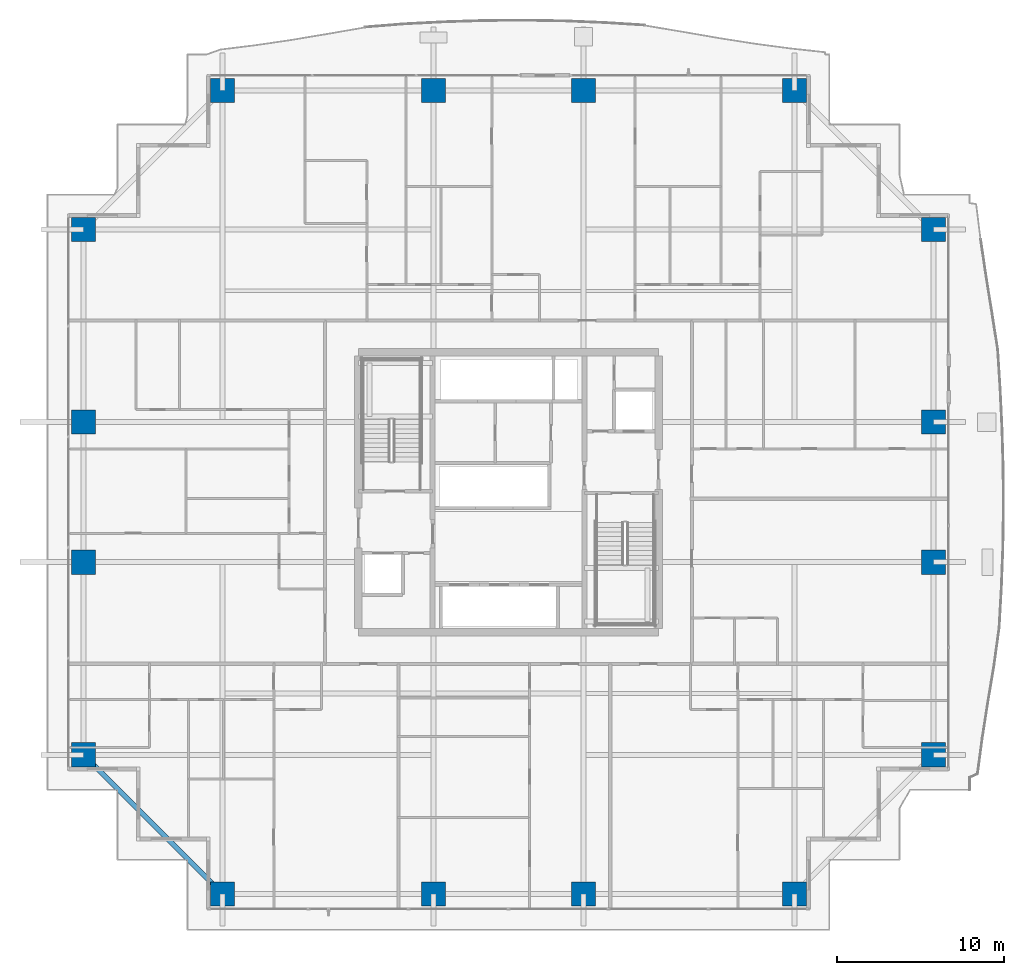
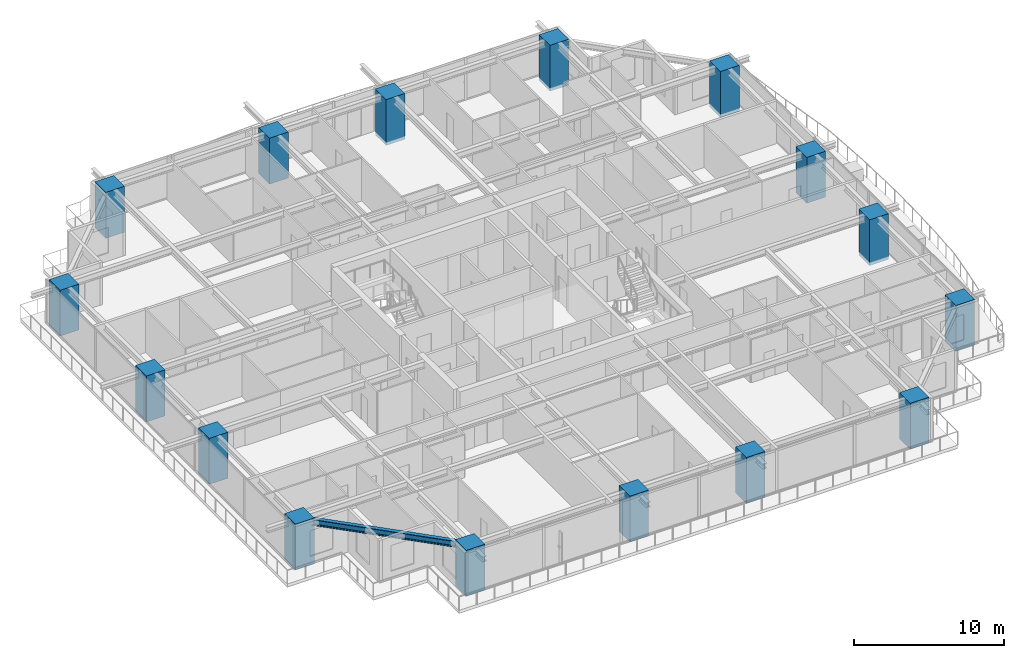
# One storey, part 1 of 38: 16 columns, 1 beam.
"""IFC4 building model written with IfcOpenShell, lengths in metres."""

from ifc_helpers import new_model, si_unit, direction, frame, origin, origin_2d, place, context, subcontext, project, spatial, rectangle, i_section, extrude, source, transform, mapped, material, material_profile, profile_set, type_object, element, save


model = new_model("IFC4")

# Units and contexts
model_context = context("Model", 3, precision=1e-05, world=origin(), true_north=direction((0.0, 1.0)))
body_context = subcontext(model_context, "Body", "Model", "MODEL_VIEW")
ifc_project = project(units=[si_unit("LENGTHUNIT", "METRE"), si_unit("AREAUNIT", "SQUARE_METRE"), si_unit("VOLUMEUNIT", "CUBIC_METRE"), si_unit("PLANEANGLEUNIT", "RADIAN"), si_unit("MASSUNIT", "GRAM", prefix="KILO")], contexts=[model_context])

# Site, building, storey
site_placement = place(None, origin())
site = spatial("IfcSite", under=ifc_project, at=site_placement, CompositionType="ELEMENT")
building_placement = place(site_placement, origin())
building = spatial("IfcBuilding", under=site, at=building_placement, Name="Serunith Strait Residences", CompositionType="ELEMENT")
storey_placement = place(building_placement, frame((0.0, 0.0, 52.949951171875)))
storey = spatial("IfcBuildingStorey", under=building, at=storey_placement, Name="L12", CompositionType="ELEMENT", Elevation=52.949951171875)

# Columns
ifc_material_1 = material(Name="Concrete C90/105", Category="concrete")
ifc_material_profile_1 = material_profile(ifc_material_1, rectangle(XDim=1.449951171875, YDim=1.449951171875, at=origin_2d()), Name="RC 1450x1450")
ifc_profile_set_1 = profile_set([ifc_material_profile_1], Name="Concrete C90/105")
column_type = type_object("IfcColumnType", Name="COL-RC-1450", PredefinedType="COLUMN", material=ifc_profile_set_1)
shared_shape_1 = source(origin(), body_context, "Body", "SweptSolid", [
    extrude(rectangle(XDim=1.449951171875, YDim=1.449951171875, at=origin_2d()), origin(), (0.0, 0.0, 1.0), 3.75),
])
for number, where, z_axis, x_axis, name in (
    (1, (15.25, 1.10009765625, -0.260009765625), (0.0, 0.0, 1.0), (1.0, 0.0, 0.0), "L12 Tower Mega-Column TC-S1"),
    (2, (27.89990234375, 1.10009765625, -0.260009765625), (0.0, 0.0, 1.0), (1.0, 0.0, 0.0), "L12 Tower Mega-Column TC-S2"),
    (3, (36.89990234375, 1.10009765625, -0.260009765625), (0.0, 0.0, 1.0), (1.0, 0.0, 0.0), "L12 Tower Mega-Column TC-S3"),
    (4, (49.550048828125, 1.10009765625, -0.260009765625), (0.0, 0.0, 1.0), (1.0, 0.0, 0.0), "L12 Tower Mega-Column TC-S4"),
    (5, (15.25, 49.300048828125, -0.260009765625), (0.0, 0.0, 1.0), (1.0, 0.0, 0.0), "L12 Tower Mega-Column TC-N1"),
    (6, (27.89990234375, 49.300048828125, -0.260009765625), (0.0, 0.0, 1.0), (1.0, 0.0, 0.0), "L12 Tower Mega-Column TC-N2"),
    (7, (36.89990234375, 49.300048828125, -0.260009765625), (0.0, 0.0, 1.0), (1.0, 0.0, 0.0), "L12 Tower Mega-Column TC-N3"),
    (8, (49.550048828125, 49.300048828125, -0.260009765625), (0.0, 0.0, 1.0), (1.0, 0.0, 0.0), "L12 Tower Mega-Column TC-N4"),
    (9, (57.89990234375, 9.449951171875, -0.260009765625), (0.0, 0.0, 1.0), (1.0, 0.0, 0.0), "L12 Tower Mega-Column TC-E1"),
    (10, (57.89990234375, 21.0, -0.260009765625), (0.0, 0.0, 1.0), (1.0, 0.0, 0.0), "L12 Tower Mega-Column TC-E2"),
    (11, (57.89990234375, 29.39990234375, -0.260009765625), (0.0, 0.0, 1.0), (1.0, 0.0, 0.0), "L12 Tower Mega-Column TC-E3"),
    (12, (57.89990234375, 40.949951171875, -0.260009765625), (0.0, 0.0, 1.0), (1.0, 0.0, 0.0), "L12 Tower Mega-Column TC-E4"),
    (13, (6.89990234375, 9.449951171875, -0.260009765625), (0.0, 0.0, 1.0), (1.0, 0.0, 0.0), "L12 Tower Mega-Column TC-W1"),
    (14, (6.89990234375, 21.0, -0.260009765625), (0.0, 0.0, 1.0), (1.0, 0.0, 0.0), "L12 Tower Mega-Column TC-W2"),
    (15, (6.89990234375, 29.39990234375, -0.260009765625), (0.0, 0.0, 1.0), (1.0, 0.0, 0.0), "L12 Tower Mega-Column TC-W3"),
    (16, (6.89990234375, 40.949951171875, -0.260009765625), (0.0, 0.0, 1.0), (1.0, 0.0, 0.0), "L12 Tower Mega-Column TC-W4"),
):
    element("IfcColumn", number, at=place(storey_placement, frame(where, z_axis=z_axis, x_axis=x_axis)), inside=storey, type_object=column_type, Name=name, PredefinedType="COLUMN", context=body_context, shape_type="MappedRepresentation", body=[
        mapped(shared_shape_1, transform((0.0, 0.0, 0.0), scale=1.0)),
    ])

# Beam
ifc_material_2 = material(Name="Steel S355J2", Category="steel")
ifc_material_profile_2 = material_profile(ifc_material_2, i_section(OverallWidth=0.300048828125, OverallDepth=0.5, WebThickness=0.014404296875, FlangeThickness=0.028076171875, FilletRadius=0.027099609375, at=origin_2d()), Name="HEB 500")
ifc_profile_set_2 = profile_set([ifc_material_profile_2], Name="Steel S355J2")
beam_type = type_object("IfcBeamType", Name="BM-HEB500", PredefinedType="BEAM", material=ifc_profile_set_2)
shared_shape_2 = source(origin(), body_context, "Body", "SweptSolid", [
    extrude(i_section(OverallWidth=0.300048828125, OverallDepth=0.5, WebThickness=0.014404296875, FlangeThickness=0.028076171875, FilletRadius=0.027099609375, at=origin_2d()), origin(), (0.0, 0.0, 1.0), 11.80859375),
])
beam_placement = place(storey_placement, frame((6.89990234375, 9.449951171875, 3.20703125), z_axis=(0.707117118476, -0.707096443746, 0.0), x_axis=(0.707096443746, 0.707117118476, 0.0)))
element("IfcBeam", 17, at=beam_placement, inside=storey, type_object=beam_type, Name="L12 Perimeter Ring Beam 16", PredefinedType="BEAM", context=body_context, shape_type="MappedRepresentation", body=[
    mapped(shared_shape_2, transform((0.0, 0.0, 0.0), scale=1.0)),
])

save(model, "model.ifc")
